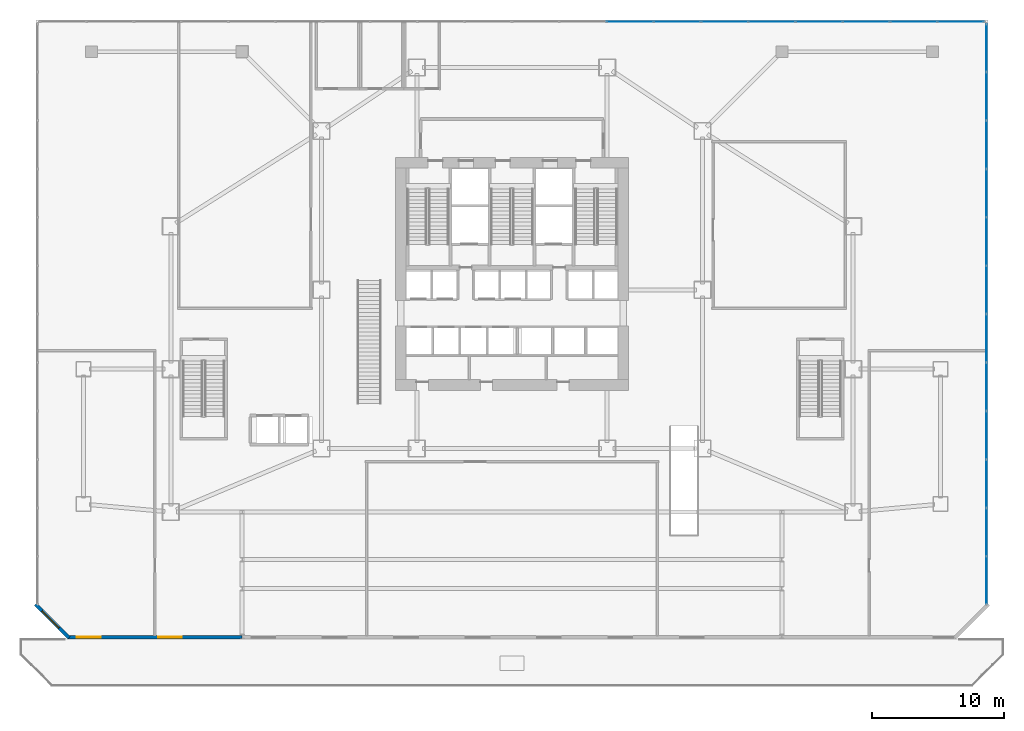
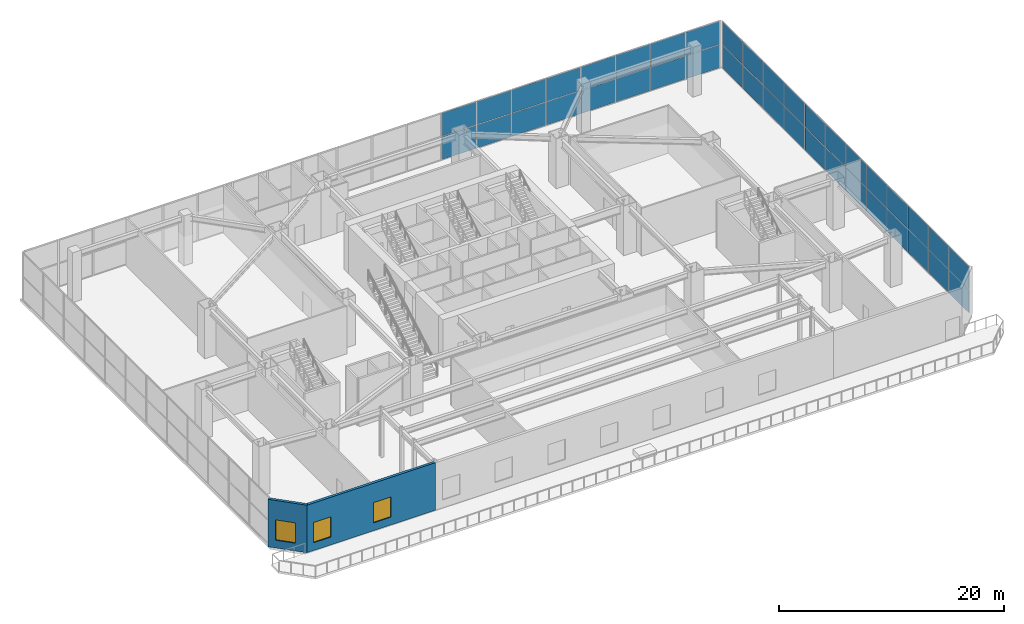
# One storey, part 27 of 37: 40 plates, 3 windows, 2 walls, 3 openings, 2 elements without a shape of their own.
"""IFC4 building model written with IfcOpenShell, lengths in metres."""

from ifc_helpers import new_model, si_unit, direction, frame, frame_2d, origin, origin_2d, place, context, subcontext, project, spatial, rectangle, extrude, material, layer, layer_set, type_object, element, fill, aggregate, save


model = new_model("IFC4")

# Units and contexts
model_context = context("Model", 3, precision=1e-05, world=origin(), true_north=direction((0.0, 1.0)))
body_context = subcontext(model_context, "Body", "Model", "MODEL_VIEW")
ifc_project = project(units=[si_unit("LENGTHUNIT", "METRE"), si_unit("AREAUNIT", "SQUARE_METRE"), si_unit("VOLUMEUNIT", "CUBIC_METRE"), si_unit("PLANEANGLEUNIT", "RADIAN"), si_unit("MASSUNIT", "GRAM", prefix="KILO")], contexts=[model_context])

# Site, building, storey
site_placement = place(None, origin())
site = spatial("IfcSite", under=ifc_project, at=site_placement, CompositionType="ELEMENT")
building_placement = place(site_placement, origin())
building = spatial("IfcBuilding", under=site, at=building_placement, Name="Haolan Belvedere Tower", CompositionType="ELEMENT")
storey_placement = place(building_placement, frame((0.0, 0.0, 10.199951171875)))
storey = spatial("IfcBuildingStorey", under=building, at=storey_placement, Name="L02", CompositionType="ELEMENT", Elevation=10.199951171875)

# Curtain wall, plates
ifc_material_1 = material(Name="Anodised champagne-silver aluminium 6063-T6 and Low-E glass", Category="aluminium")
ifc_layer_1 = layer(ifc_material_1, 0.179931640625, Name="Anodised champagne-silver aluminium 6063-T6 and Low-E glass")
ifc_layer_set_1 = layer_set([ifc_layer_1], Name="Anodised champagne-silver aluminium 6063-T6 and Low-E glass")
curtain_wall_type = type_object("IfcCurtainWallType", Name="CW-SYS-01", PredefinedType="NOTDEFINED", material=ifc_layer_set_1)
curtain_wall_1_placement = place(storey_placement, origin())
curtain_wall_1 = element("IfcCurtainWall", 1, at=curtain_wall_1_placement, inside=storey, type_object=curtain_wall_type, Name="L02 CW-SYS-01 ribbon curtain wall 2.1", PredefinedType="NOTDEFINED")
ifc_material_2 = material(Name="Double silver Low-E laminated insulating glass", Category="glass")
ifc_layer_2 = layer(ifc_material_2, 0.028076171875, Name="Double silver Low-E laminated insulating glass")
ifc_layer_set_2 = layer_set([ifc_layer_2], Name="Double silver Low-E laminated insulating glass")
plate_type = type_object("IfcPlateType", Name="CW-SYS-01-PNL", PredefinedType="CURTAIN_PANEL", material=ifc_layer_set_2)
plate_1_placement = place(storey_placement, frame((74.27001953125, 11.640625, 0.06005859375), z_axis=(0.0, 0.0, 1.0), x_axis=(0.0, 1.0, 0.0)))
plate_1 = element("IfcPlate", 2, at=plate_1_placement, type_object=plate_type, Name="CW-01 panel 1.1", PredefinedType="CURTAIN_PANEL", context=body_context, shape_type="SweptSolid", body=[
    extrude(rectangle(XDim=3.56396484375, YDim=0.028076171875, at=origin_2d()), origin(), (0.0, 0.0, 1.0), 2.489990234375),
])
plate_2_placement = place(storey_placement, frame((74.27001953125, 11.640625, 2.60986328125), z_axis=(0.0, 0.0, 1.0), x_axis=(0.0, 1.0, 0.0)))
plate_2 = element("IfcPlate", 3, at=plate_2_placement, type_object=plate_type, Name="CW-01 panel 1.2", PredefinedType="CURTAIN_PANEL", context=body_context, shape_type="SweptSolid", body=[
    extrude(rectangle(XDim=3.56396484375, YDim=0.028076171875, at=origin_2d()), origin(), (0.0, 0.0, 1.0), 2.489990234375),
])
plate_3_placement = place(storey_placement, frame((74.27001953125, 15.285888671875, 0.06005859375), z_axis=(0.0, 0.0, 1.0), x_axis=(0.0, 1.0, 0.0)))
plate_3 = element("IfcPlate", 4, at=plate_3_placement, type_object=plate_type, Name="CW-01 panel 2.1", PredefinedType="CURTAIN_PANEL", context=body_context, shape_type="SweptSolid", body=[
    extrude(rectangle(XDim=3.596435546875, YDim=0.028076171875, at=origin_2d()), origin(), (0.0, 0.0, 1.0), 2.489990234375),
])
plate_4_placement = place(storey_placement, frame((74.27001953125, 15.285888671875, 2.60986328125), z_axis=(0.0, 0.0, 1.0), x_axis=(0.0, 1.0, 0.0)))
plate_4 = element("IfcPlate", 5, at=plate_4_placement, type_object=plate_type, Name="CW-01 panel 2.2", PredefinedType="CURTAIN_PANEL", context=body_context, shape_type="SweptSolid", body=[
    extrude(rectangle(XDim=3.596435546875, YDim=0.028076171875, at=origin_2d()), origin(), (0.0, 0.0, 1.0), 2.489990234375),
])
plate_5_placement = place(storey_placement, frame((74.27001953125, 18.947265625, 0.06005859375), z_axis=(0.0, 0.0, 1.0), x_axis=(0.0, 1.0, 0.0)))
plate_5 = element("IfcPlate", 6, at=plate_5_placement, type_object=plate_type, Name="CW-01 panel 3.1", PredefinedType="CURTAIN_PANEL", context=body_context, shape_type="SweptSolid", body=[
    extrude(rectangle(XDim=3.596435546875, YDim=0.028076171875, at=origin_2d()), origin(), (0.0, 0.0, 1.0), 2.489990234375),
])
plate_6_placement = place(storey_placement, frame((74.27001953125, 18.947265625, 2.60986328125), z_axis=(0.0, 0.0, 1.0), x_axis=(0.0, 1.0, 0.0)))
plate_6 = element("IfcPlate", 7, at=plate_6_placement, type_object=plate_type, Name="CW-01 panel 3.2", PredefinedType="CURTAIN_PANEL", context=body_context, shape_type="SweptSolid", body=[
    extrude(rectangle(XDim=3.596435546875, YDim=0.028076171875, at=origin_2d()), origin(), (0.0, 0.0, 1.0), 2.489990234375),
])
plate_7_placement = place(storey_placement, frame((74.27001953125, 22.608642578125, 0.06005859375), z_axis=(0.0, 0.0, 1.0), x_axis=(0.0, 1.0, 0.0)))
plate_7 = element("IfcPlate", 8, at=plate_7_placement, type_object=plate_type, Name="CW-01 panel 4.1", PredefinedType="CURTAIN_PANEL", context=body_context, shape_type="SweptSolid", body=[
    extrude(rectangle(XDim=3.596435546875, YDim=0.028076171875, at=origin_2d()), origin(), (0.0, 0.0, 1.0), 2.489990234375),
])
plate_8_placement = place(storey_placement, frame((74.27001953125, 22.608642578125, 2.60986328125), z_axis=(0.0, 0.0, 1.0), x_axis=(0.0, 1.0, 0.0)))
plate_8 = element("IfcPlate", 9, at=plate_8_placement, type_object=plate_type, Name="CW-01 panel 4.2", PredefinedType="CURTAIN_PANEL", context=body_context, shape_type="SweptSolid", body=[
    extrude(rectangle(XDim=3.596435546875, YDim=0.028076171875, at=origin_2d()), origin(), (0.0, 0.0, 1.0), 2.489990234375),
])
plate_9_placement = place(storey_placement, frame((74.27001953125, 26.269775390625, 0.06005859375), z_axis=(0.0, 0.0, 1.0), x_axis=(0.0, 1.0, 0.0)))
plate_9 = element("IfcPlate", 10, at=plate_9_placement, type_object=plate_type, Name="CW-01 panel 5.1", PredefinedType="CURTAIN_PANEL", context=body_context, shape_type="SweptSolid", body=[
    extrude(rectangle(XDim=3.596435546875, YDim=0.028076171875, at=origin_2d()), origin(), (0.0, 0.0, 1.0), 2.489990234375),
])
plate_10_placement = place(storey_placement, frame((74.27001953125, 26.269775390625, 2.60986328125), z_axis=(0.0, 0.0, 1.0), x_axis=(0.0, 1.0, 0.0)))
plate_10 = element("IfcPlate", 11, at=plate_10_placement, type_object=plate_type, Name="CW-01 panel 5.2", PredefinedType="CURTAIN_PANEL", context=body_context, shape_type="SweptSolid", body=[
    extrude(rectangle(XDim=3.596435546875, YDim=0.028076171875, at=origin_2d()), origin(), (0.0, 0.0, 1.0), 2.489990234375),
])
plate_11_placement = place(storey_placement, frame((74.27001953125, 29.93115234375, 0.06005859375), z_axis=(0.0, 0.0, 1.0), x_axis=(0.0, 1.0, 0.0)))
plate_11 = element("IfcPlate", 12, at=plate_11_placement, type_object=plate_type, Name="CW-01 panel 6.1", PredefinedType="CURTAIN_PANEL", context=body_context, shape_type="SweptSolid", body=[
    extrude(rectangle(XDim=3.596435546875, YDim=0.028076171875, at=origin_2d()), origin(), (0.0, 0.0, 1.0), 2.489990234375),
])
plate_12_placement = place(storey_placement, frame((74.27001953125, 29.93115234375, 2.60986328125), z_axis=(0.0, 0.0, 1.0), x_axis=(0.0, 1.0, 0.0)))
plate_12 = element("IfcPlate", 13, at=plate_12_placement, type_object=plate_type, Name="CW-01 panel 6.2", PredefinedType="CURTAIN_PANEL", context=body_context, shape_type="SweptSolid", body=[
    extrude(rectangle(XDim=3.596435546875, YDim=0.028076171875, at=origin_2d()), origin(), (0.0, 0.0, 1.0), 2.489990234375),
])
plate_13_placement = place(storey_placement, frame((74.27001953125, 33.592529296875, 0.06005859375), z_axis=(0.0, 0.0, 1.0), x_axis=(0.0, 1.0, 0.0)))
plate_13 = element("IfcPlate", 14, at=plate_13_placement, type_object=plate_type, Name="CW-01 panel 7.1", PredefinedType="CURTAIN_PANEL", context=body_context, shape_type="SweptSolid", body=[
    extrude(rectangle(XDim=3.596435546875, YDim=0.028076171875, at=origin_2d()), origin(), (0.0, 0.0, 1.0), 2.489990234375),
])
plate_14_placement = place(storey_placement, frame((74.27001953125, 33.592529296875, 2.60986328125), z_axis=(0.0, 0.0, 1.0), x_axis=(0.0, 1.0, 0.0)))
plate_14 = element("IfcPlate", 15, at=plate_14_placement, type_object=plate_type, Name="CW-01 panel 7.2", PredefinedType="CURTAIN_PANEL", context=body_context, shape_type="SweptSolid", body=[
    extrude(rectangle(XDim=3.596435546875, YDim=0.028076171875, at=origin_2d()), origin(), (0.0, 0.0, 1.0), 2.489990234375),
])
plate_15_placement = place(storey_placement, frame((74.27001953125, 37.25390625, 0.06005859375), z_axis=(0.0, 0.0, 1.0), x_axis=(0.0, 1.0, 0.0)))
plate_15 = element("IfcPlate", 16, at=plate_15_placement, type_object=plate_type, Name="CW-01 panel 8.1", PredefinedType="CURTAIN_PANEL", context=body_context, shape_type="SweptSolid", body=[
    extrude(rectangle(XDim=3.596435546875, YDim=0.028076171875, at=origin_2d()), origin(), (0.0, 0.0, 1.0), 2.489990234375),
])
plate_16_placement = place(storey_placement, frame((74.27001953125, 37.25390625, 2.60986328125), z_axis=(0.0, 0.0, 1.0), x_axis=(0.0, 1.0, 0.0)))
plate_16 = element("IfcPlate", 17, at=plate_16_placement, type_object=plate_type, Name="CW-01 panel 8.2", PredefinedType="CURTAIN_PANEL", context=body_context, shape_type="SweptSolid", body=[
    extrude(rectangle(XDim=3.596435546875, YDim=0.028076171875, at=origin_2d()), origin(), (0.0, 0.0, 1.0), 2.489990234375),
])
plate_17_placement = place(storey_placement, frame((74.27001953125, 40.915283203125, 0.06005859375), z_axis=(0.0, 0.0, 1.0), x_axis=(0.0, 1.0, 0.0)))
plate_17 = element("IfcPlate", 18, at=plate_17_placement, type_object=plate_type, Name="CW-01 panel 9.1", PredefinedType="CURTAIN_PANEL", context=body_context, shape_type="SweptSolid", body=[
    extrude(rectangle(XDim=3.596435546875, YDim=0.028076171875, at=origin_2d()), origin(), (0.0, 0.0, 1.0), 2.489990234375),
])
plate_18_placement = place(storey_placement, frame((74.27001953125, 40.915283203125, 2.60986328125), z_axis=(0.0, 0.0, 1.0), x_axis=(0.0, 1.0, 0.0)))
plate_18 = element("IfcPlate", 19, at=plate_18_placement, type_object=plate_type, Name="CW-01 panel 9.2", PredefinedType="CURTAIN_PANEL", context=body_context, shape_type="SweptSolid", body=[
    extrude(rectangle(XDim=3.596435546875, YDim=0.028076171875, at=origin_2d()), origin(), (0.0, 0.0, 1.0), 2.489990234375),
])
plate_19_placement = place(storey_placement, frame((74.27001953125, 44.57666015625, 0.06005859375), z_axis=(0.0, 0.0, 1.0), x_axis=(0.0, 1.0, 0.0)))
plate_19 = element("IfcPlate", 20, at=plate_19_placement, type_object=plate_type, Name="CW-01 panel 10.1", PredefinedType="CURTAIN_PANEL", context=body_context, shape_type="SweptSolid", body=[
    extrude(rectangle(XDim=3.596435546875, YDim=0.028076171875, at=origin_2d()), origin(), (0.0, 0.0, 1.0), 2.489990234375),
])
plate_20_placement = place(storey_placement, frame((74.27001953125, 44.57666015625, 2.60986328125), z_axis=(0.0, 0.0, 1.0), x_axis=(0.0, 1.0, 0.0)))
plate_20 = element("IfcPlate", 21, at=plate_20_placement, type_object=plate_type, Name="CW-01 panel 10.2", PredefinedType="CURTAIN_PANEL", context=body_context, shape_type="SweptSolid", body=[
    extrude(rectangle(XDim=3.596435546875, YDim=0.028076171875, at=origin_2d()), origin(), (0.0, 0.0, 1.0), 2.489990234375),
])
plate_21_placement = place(storey_placement, frame((74.27001953125, 48.238037109375, 0.06005859375), z_axis=(0.0, 0.0, 1.0), x_axis=(0.0, 1.0, 0.0)))
plate_21 = element("IfcPlate", 22, at=plate_21_placement, type_object=plate_type, Name="CW-01 panel 11.1", PredefinedType="CURTAIN_PANEL", context=body_context, shape_type="SweptSolid", body=[
    extrude(rectangle(XDim=3.596435546875, YDim=0.028076171875, at=origin_2d()), origin(), (0.0, 0.0, 1.0), 2.489990234375),
])
plate_22_placement = place(storey_placement, frame((74.27001953125, 48.238037109375, 2.60986328125), z_axis=(0.0, 0.0, 1.0), x_axis=(0.0, 1.0, 0.0)))
plate_22 = element("IfcPlate", 23, at=plate_22_placement, type_object=plate_type, Name="CW-01 panel 11.2", PredefinedType="CURTAIN_PANEL", context=body_context, shape_type="SweptSolid", body=[
    extrude(rectangle(XDim=3.596435546875, YDim=0.028076171875, at=origin_2d()), origin(), (0.0, 0.0, 1.0), 2.489990234375),
])
plate_23_placement = place(storey_placement, frame((74.27001953125, 51.883056640625, 0.06005859375), z_axis=(0.0, 0.0, 1.0), x_axis=(0.0, 1.0, 0.0)))
plate_23 = element("IfcPlate", 24, at=plate_23_placement, type_object=plate_type, Name="CW-01 panel 12.1", PredefinedType="CURTAIN_PANEL", context=body_context, shape_type="SweptSolid", body=[
    extrude(rectangle(XDim=3.56396484375, YDim=0.028076171875, at=origin_2d()), origin(), (0.0, 0.0, 1.0), 2.489990234375),
])
plate_24_placement = place(storey_placement, frame((74.27001953125, 51.883056640625, 2.60986328125), z_axis=(0.0, 0.0, 1.0), x_axis=(0.0, 1.0, 0.0)))
plate_24 = element("IfcPlate", 25, at=plate_24_placement, type_object=plate_type, Name="CW-01 panel 12.2", PredefinedType="CURTAIN_PANEL", context=body_context, shape_type="SweptSolid", body=[
    extrude(rectangle(XDim=3.56396484375, YDim=0.028076171875, at=origin_2d()), origin(), (0.0, 0.0, 1.0), 2.489990234375),
])
aggregate(curtain_wall_1, [plate_1, plate_2, plate_3, plate_4, plate_5, plate_6, plate_7, plate_8, plate_9, plate_10, plate_11, plate_12, plate_13, plate_14, plate_15, plate_16, plate_17, plate_18, plate_19, plate_20, plate_21, plate_22, plate_23, plate_24])

curtain_wall_2_placement = place(storey_placement, origin())
curtain_wall_2 = element("IfcCurtainWall", 26, at=curtain_wall_2_placement, inside=storey, type_object=curtain_wall_type, Name="L02 CW-SYS-01 ribbon curtain wall 3.1", PredefinedType="NOTDEFINED")
plate_25_placement = place(storey_placement, frame((72.3271484375, 53.8701171875, 0.06005859375), z_axis=(0.0, 0.0, 1.0), x_axis=(-1.0, 0.0, 0.0)))
plate_25 = element("IfcPlate", 27, at=plate_25_placement, type_object=plate_type, Name="CW-01 panel 1.1", PredefinedType="CURTAIN_PANEL", context=body_context, shape_type="SweptSolid", body=[
    extrude(rectangle(XDim=3.4755859375, YDim=0.028076171875, at=origin_2d()), origin(), (0.0, 0.0, 1.0), 2.489990234375),
])
plate_26_placement = place(storey_placement, frame((72.3271484375, 53.8701171875, 2.60986328125), z_axis=(0.0, 0.0, 1.0), x_axis=(-1.0, 0.0, 0.0)))
plate_26 = element("IfcPlate", 28, at=plate_26_placement, type_object=plate_type, Name="CW-01 panel 1.2", PredefinedType="CURTAIN_PANEL", context=body_context, shape_type="SweptSolid", body=[
    extrude(rectangle(XDim=3.4755859375, YDim=0.028076171875, at=origin_2d()), origin(), (0.0, 0.0, 1.0), 2.489990234375),
])
plate_27_placement = place(storey_placement, frame((68.7705078125, 53.8701171875, 0.06005859375), z_axis=(0.0, 0.0, 1.0), x_axis=(-1.0, 0.0, 0.0)))
plate_27 = element("IfcPlate", 29, at=plate_27_placement, type_object=plate_type, Name="CW-01 panel 2.1", PredefinedType="CURTAIN_PANEL", context=body_context, shape_type="SweptSolid", body=[
    extrude(rectangle(XDim=3.508056640625, YDim=0.028076171875, at=origin_2d()), origin(), (0.0, 0.0, 1.0), 2.489990234375),
])
plate_28_placement = place(storey_placement, frame((68.7705078125, 53.8701171875, 2.60986328125), z_axis=(0.0, 0.0, 1.0), x_axis=(-1.0, 0.0, 0.0)))
plate_28 = element("IfcPlate", 30, at=plate_28_placement, type_object=plate_type, Name="CW-01 panel 2.2", PredefinedType="CURTAIN_PANEL", context=body_context, shape_type="SweptSolid", body=[
    extrude(rectangle(XDim=3.508056640625, YDim=0.028076171875, at=origin_2d()), origin(), (0.0, 0.0, 1.0), 2.489990234375),
])
plate_29_placement = place(storey_placement, frame((65.197509765625, 53.8701171875, 0.06005859375), z_axis=(0.0, 0.0, 1.0), x_axis=(-1.0, 0.0, 0.0)))
plate_29 = element("IfcPlate", 31, at=plate_29_placement, type_object=plate_type, Name="CW-01 panel 3.1", PredefinedType="CURTAIN_PANEL", context=body_context, shape_type="SweptSolid", body=[
    extrude(rectangle(XDim=3.508056640625, YDim=0.028076171875, at=origin_2d()), origin(), (0.0, 0.0, 1.0), 2.489990234375),
])
plate_30_placement = place(storey_placement, frame((65.197509765625, 53.8701171875, 2.60986328125), z_axis=(0.0, 0.0, 1.0), x_axis=(-1.0, 0.0, 0.0)))
plate_30 = element("IfcPlate", 32, at=plate_30_placement, type_object=plate_type, Name="CW-01 panel 3.2", PredefinedType="CURTAIN_PANEL", context=body_context, shape_type="SweptSolid", body=[
    extrude(rectangle(XDim=3.508056640625, YDim=0.028076171875, at=origin_2d()), origin(), (0.0, 0.0, 1.0), 2.489990234375),
])
plate_31_placement = place(storey_placement, frame((61.62451171875, 53.8701171875, 0.06005859375), z_axis=(0.0, 0.0, 1.0), x_axis=(-1.0, 0.0, 0.0)))
plate_31 = element("IfcPlate", 33, at=plate_31_placement, type_object=plate_type, Name="CW-01 panel 4.1", PredefinedType="CURTAIN_PANEL", context=body_context, shape_type="SweptSolid", body=[
    extrude(rectangle(XDim=3.508056640625, YDim=0.028076171875, at=origin_2d()), origin(), (0.0, 0.0, 1.0), 2.489990234375),
])
plate_32_placement = place(storey_placement, frame((61.62451171875, 53.8701171875, 2.60986328125), z_axis=(0.0, 0.0, 1.0), x_axis=(-1.0, 0.0, 0.0)))
plate_32 = element("IfcPlate", 34, at=plate_32_placement, type_object=plate_type, Name="CW-01 panel 4.2", PredefinedType="CURTAIN_PANEL", context=body_context, shape_type="SweptSolid", body=[
    extrude(rectangle(XDim=3.508056640625, YDim=0.028076171875, at=origin_2d()), origin(), (0.0, 0.0, 1.0), 2.489990234375),
])
plate_33_placement = place(storey_placement, frame((58.051513671875, 53.8701171875, 0.06005859375), z_axis=(0.0, 0.0, 1.0), x_axis=(-1.0, 0.0, 0.0)))
plate_33 = element("IfcPlate", 35, at=plate_33_placement, type_object=plate_type, Name="CW-01 panel 5.1", PredefinedType="CURTAIN_PANEL", context=body_context, shape_type="SweptSolid", body=[
    extrude(rectangle(XDim=3.508056640625, YDim=0.028076171875, at=origin_2d()), origin(), (0.0, 0.0, 1.0), 2.489990234375),
])
plate_34_placement = place(storey_placement, frame((58.051513671875, 53.8701171875, 2.60986328125), z_axis=(0.0, 0.0, 1.0), x_axis=(-1.0, 0.0, 0.0)))
plate_34 = element("IfcPlate", 36, at=plate_34_placement, type_object=plate_type, Name="CW-01 panel 5.2", PredefinedType="CURTAIN_PANEL", context=body_context, shape_type="SweptSolid", body=[
    extrude(rectangle(XDim=3.508056640625, YDim=0.028076171875, at=origin_2d()), origin(), (0.0, 0.0, 1.0), 2.489990234375),
])
plate_35_placement = place(storey_placement, frame((54.478515625, 53.8701171875, 0.06005859375), z_axis=(0.0, 0.0, 1.0), x_axis=(-1.0, 0.0, 0.0)))
plate_35 = element("IfcPlate", 37, at=plate_35_placement, type_object=plate_type, Name="CW-01 panel 6.1", PredefinedType="CURTAIN_PANEL", context=body_context, shape_type="SweptSolid", body=[
    extrude(rectangle(XDim=3.508056640625, YDim=0.028076171875, at=origin_2d()), origin(), (0.0, 0.0, 1.0), 2.489990234375),
])
plate_36_placement = place(storey_placement, frame((54.478515625, 53.8701171875, 2.60986328125), z_axis=(0.0, 0.0, 1.0), x_axis=(-1.0, 0.0, 0.0)))
plate_36 = element("IfcPlate", 38, at=plate_36_placement, type_object=plate_type, Name="CW-01 panel 6.2", PredefinedType="CURTAIN_PANEL", context=body_context, shape_type="SweptSolid", body=[
    extrude(rectangle(XDim=3.508056640625, YDim=0.028076171875, at=origin_2d()), origin(), (0.0, 0.0, 1.0), 2.489990234375),
])
plate_37_placement = place(storey_placement, frame((50.905517578125, 53.8701171875, 0.06005859375), z_axis=(0.0, 0.0, 1.0), x_axis=(-1.0, 0.0, 0.0)))
plate_37 = element("IfcPlate", 39, at=plate_37_placement, type_object=plate_type, Name="CW-01 panel 7.1", PredefinedType="CURTAIN_PANEL", context=body_context, shape_type="SweptSolid", body=[
    extrude(rectangle(XDim=3.508056640625, YDim=0.028076171875, at=origin_2d()), origin(), (0.0, 0.0, 1.0), 2.489990234375),
])
plate_38_placement = place(storey_placement, frame((50.905517578125, 53.8701171875, 2.60986328125), z_axis=(0.0, 0.0, 1.0), x_axis=(-1.0, 0.0, 0.0)))
plate_38 = element("IfcPlate", 40, at=plate_38_placement, type_object=plate_type, Name="CW-01 panel 7.2", PredefinedType="CURTAIN_PANEL", context=body_context, shape_type="SweptSolid", body=[
    extrude(rectangle(XDim=3.508056640625, YDim=0.028076171875, at=origin_2d()), origin(), (0.0, 0.0, 1.0), 2.489990234375),
])
plate_39_placement = place(storey_placement, frame((47.33251953125, 53.8701171875, 0.06005859375), z_axis=(0.0, 0.0, 1.0), x_axis=(-1.0, 0.0, 0.0)))
plate_39 = element("IfcPlate", 41, at=plate_39_placement, type_object=plate_type, Name="CW-01 panel 8.1", PredefinedType="CURTAIN_PANEL", context=body_context, shape_type="SweptSolid", body=[
    extrude(rectangle(XDim=3.508056640625, YDim=0.028076171875, at=origin_2d()), origin(), (0.0, 0.0, 1.0), 2.489990234375),
])
plate_40_placement = place(storey_placement, frame((47.33251953125, 53.8701171875, 2.60986328125), z_axis=(0.0, 0.0, 1.0), x_axis=(-1.0, 0.0, 0.0)))
plate_40 = element("IfcPlate", 42, at=plate_40_placement, type_object=plate_type, Name="CW-01 panel 8.2", PredefinedType="CURTAIN_PANEL", context=body_context, shape_type="SweptSolid", body=[
    extrude(rectangle(XDim=3.508056640625, YDim=0.028076171875, at=origin_2d()), origin(), (0.0, 0.0, 1.0), 2.489990234375),
])
aggregate(curtain_wall_2, [plate_25, plate_26, plate_27, plate_28, plate_29, plate_30, plate_31, plate_32, plate_33, plate_34, plate_35, plate_36, plate_37, plate_38, plate_39, plate_40])

# Wall, opening, window
ifc_material_3 = material(Name="Precast concrete C40/50", Category="concrete")
ifc_layer_3 = layer(ifc_material_3, 0.260009765625, Name="Precast concrete C40/50")
ifc_layer_set_3 = layer_set([ifc_layer_3], Name="Precast concrete C40/50")
wall_type = type_object("IfcWallType", Name="WL-EXT-260", PredefinedType="SOLIDWALL", material=ifc_layer_set_3)
wall_1_placement = place(storey_placement, frame((2.370849609375, 9.81298828125, 0.0), z_axis=(0.0, 0.0, 1.0), x_axis=(0.707072552817, -0.7071410079, 0.0)))
wall_1 = element("IfcWall", 43, at=wall_1_placement, inside=storey, type_object=wall_type, Name="L02 pale-metal exterior spandrel wall 5.1", PredefinedType="SOLIDWALL", context=body_context, shape_type="SweptSolid", body=[
    extrude(rectangle(XDim=3.56640625, YDim=0.260009765625, at=frame_2d((1.783203125, 0.0))), origin(), (0.0, 0.0, 1.0), 5.16015625),
])
opening_1_placement = place(wall_1_placement, frame((0.699951171875, 0.0, 0.85009765625)))
opening_1 = element("IfcOpeningElement", 44, at=opening_1_placement, cuts=wall_1, Name="Opening W-05", PredefinedType="OPENING", context=body_context, shape_type="SweptSolid", body=[
    extrude(rectangle(XDim=1.800048828125, YDim=2.199951171875, at=frame_2d((0.89990234375, 1.10009765625))), frame((0.0, 0.139892578125, 0.0), z_axis=(0.0, -1.0, 0.0), x_axis=(1.0, 0.0, 0.0)), (0.0, 0.0, 1.0), 0.280029296875),
])
ifc_material_4 = material(Name="Anodised aluminium 6063-T6 and Low-E glass", Category="aluminium")
window_type = type_object("IfcWindowType", Name="WN-POD-210", PartitioningType="SINGLE_PANEL", PredefinedType="WINDOW", material=ifc_material_4)
window_1_placement = place(opening_1_placement, origin())
window_1 = element("IfcWindow", 45, at=window_1_placement, inside=storey, type_object=window_type, Name="L02 Art Deco chevron window 1", OverallHeight=2.199951171875, OverallWidth=1.800048828125, PartitioningType="SINGLE_PANEL", PredefinedType="WINDOW", context=body_context, shape_type="SweptSolid", body=[
    extrude(rectangle(XDim=1.800048828125, YDim=2.199951171875, at=frame_2d((0.89990234375, 1.10009765625))), frame((0.0, 0.030029296875, 0.0), z_axis=(0.0, -1.0, 0.0), x_axis=(1.0, 0.0, 0.0)), (0.0, 0.0, 1.0), 0.06005859375),
])
fill(opening_1, window_1)

# Wall, openings, windows
wall_2_placement = place(storey_placement, frame((4.798828125, 7.330078125, 0.0), z_axis=(0.0, 0.0, 1.0), x_axis=(1.0, 0.0, 0.0)))
wall_2 = element("IfcWall", 46, at=wall_2_placement, inside=storey, type_object=wall_type, Name="L02 pale-metal exterior spandrel wall 6.1", PredefinedType="SOLIDWALL", context=body_context, shape_type="SweptSolid", body=[
    extrude(rectangle(XDim=13.197265625, YDim=0.260009765625, at=frame_2d((6.5986328125, 0.0))), origin(), (0.0, 0.0, 1.0), 5.16015625),
])
opening_2_placement = place(wall_2_placement, frame((0.699951171875, 0.0, 0.85009765625)))
opening_2 = element("IfcOpeningElement", 47, at=opening_2_placement, cuts=wall_2, Name="Opening W-05", PredefinedType="OPENING", context=body_context, shape_type="SweptSolid", body=[
    extrude(rectangle(XDim=1.800048828125, YDim=2.199951171875, at=frame_2d((0.89990234375, 1.10009765625))), frame((0.0, 0.139892578125, 0.0), z_axis=(0.0, -1.0, 0.0), x_axis=(1.0, 0.0, 0.0)), (0.0, 0.0, 1.0), 0.280029296875),
])
opening_3_placement = place(wall_2_placement, frame((6.836181640625, 0.0, 0.85009765625)))
opening_3 = element("IfcOpeningElement", 48, at=opening_3_placement, cuts=wall_2, Name="Opening W-05", PredefinedType="OPENING", context=body_context, shape_type="SweptSolid", body=[
    extrude(rectangle(XDim=1.800048828125, YDim=2.199951171875, at=frame_2d((0.89990234375, 1.10009765625))), frame((0.0, 0.139892578125, 0.0), z_axis=(0.0, -1.0, 0.0), x_axis=(1.0, 0.0, 0.0)), (0.0, 0.0, 1.0), 0.280029296875),
])
window_2_placement = place(opening_2_placement, origin())
window_2 = element("IfcWindow", 49, at=window_2_placement, inside=storey, type_object=window_type, Name="L02 Art Deco chevron window 1", OverallHeight=2.199951171875, OverallWidth=1.800048828125, PartitioningType="SINGLE_PANEL", PredefinedType="WINDOW", context=body_context, shape_type="SweptSolid", body=[
    extrude(rectangle(XDim=1.800048828125, YDim=2.199951171875, at=frame_2d((0.89990234375, 1.10009765625))), frame((0.0, 0.030029296875, 0.0), z_axis=(0.0, -1.0, 0.0), x_axis=(1.0, 0.0, 0.0)), (0.0, 0.0, 1.0), 0.06005859375),
])
fill(opening_2, window_2)
window_3_placement = place(opening_3_placement, origin())
window_3 = element("IfcWindow", 50, at=window_3_placement, inside=storey, type_object=window_type, Name="L02 Art Deco chevron window 2", OverallHeight=2.199951171875, OverallWidth=1.800048828125, PartitioningType="SINGLE_PANEL", PredefinedType="WINDOW", context=body_context, shape_type="SweptSolid", body=[
    extrude(rectangle(XDim=1.800048828125, YDim=2.199951171875, at=frame_2d((0.89990234375, 1.10009765625))), frame((0.0, 0.030029296875, 0.0), z_axis=(0.0, -1.0, 0.0), x_axis=(1.0, 0.0, 0.0)), (0.0, 0.0, 1.0), 0.06005859375),
])
fill(opening_3, window_3)

save(model, "model.ifc")
